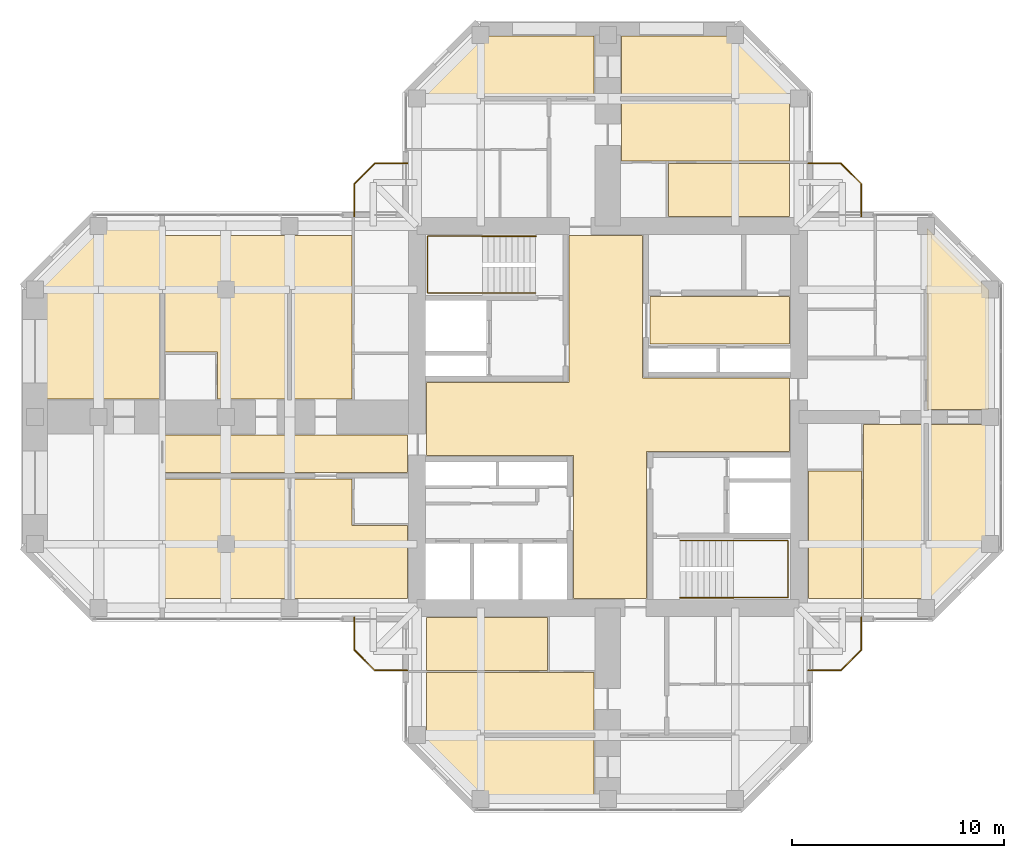
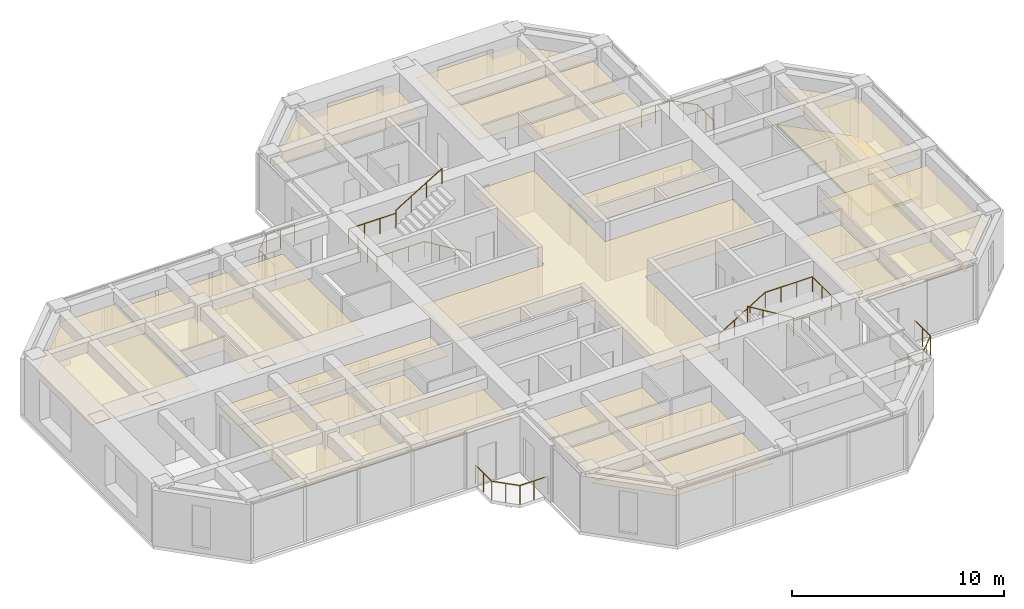
# One storey, part 13 of 13: 20 coverings, 8 railings.
"""IFC4 building model written with IfcOpenShell, lengths in metres."""

from ifc_helpers import new_model, si_unit, direction, frame, origin, origin_2d, place, context, subcontext, project, spatial, polyline, circle, outline, extrude, material, layer, layer_set, constituent, constituent_set, type_object, element, save


model = new_model("IFC4")

# Units and contexts
model_context = context("Model", 3, precision=1e-05, world=origin(), true_north=direction((0.0, 1.0)))
body_context = subcontext(model_context, "Body", "Model", "MODEL_VIEW")
ifc_project = project(units=[si_unit("LENGTHUNIT", "METRE"), si_unit("AREAUNIT", "SQUARE_METRE"), si_unit("VOLUMEUNIT", "CUBIC_METRE"), si_unit("PLANEANGLEUNIT", "RADIAN"), si_unit("MASSUNIT", "GRAM", prefix="KILO")], contexts=[model_context])

# Site, building, storey
site_placement = place(None, origin())
site = spatial("IfcSite", under=ifc_project, at=site_placement, CompositionType="ELEMENT")
building_placement = place(site_placement, origin())
building = spatial("IfcBuilding", under=site, at=building_placement, Name="Torre Cruceta", CompositionType="ELEMENT")
storey_placement = place(building_placement, frame((0.0, 0.0, 235.699951171875)))
storey = spatial("IfcBuildingStorey", under=building, at=storey_placement, Name="L60", CompositionType="ELEMENT", Elevation=235.699951171875)

# Railings
ifc_material_1 = material(Name="Stainless steel 1.4401", Category="steel")
ifc_constituent_1 = constituent(ifc_material_1, Name="Frame")
ifc_material_2 = material(Name="Laminated safety glass", Category="glass")
ifc_constituent_2 = constituent(ifc_material_2, Name="Infill")
ifc_constituent_set_1 = constituent_set(constituents=[ifc_constituent_1, ifc_constituent_2], Name="Stainless steel and laminated glass balustrade")
railing_type_1 = type_object("IfcRailingType", Name="BALCONY BALUSTRADE 1100", PredefinedType="BALUSTRADE", material=ifc_constituent_set_1)
railing_1_placement = place(storey_placement, frame((-9.449951171875, 11.949951171875, 0.0)))
element("IfcRailing", 1, at=railing_1_placement, inside=storey, type_object=railing_type_1, Name="BL1 balcony balustrade L60 N", PredefinedType="BALUSTRADE", context=body_context, shape_type="SweptSolid", body=[
    extrude(circle(Radius=0.02392578125, at=origin_2d()), frame((0.0, 0.0, 1.076171875), z_axis=(-1.0, 0.0, 0.0), x_axis=(0.0, -1.0, 0.0)), (0.0, 0.0, 1.0), 1.529296875),
    extrude(circle(Radius=0.02392578125, at=origin_2d()), frame((-1.529296875, 0.0, 1.076171875), z_axis=(-0.707106781187, -0.707106781187, 0.0), x_axis=(0.707106781187, -0.707106781187, 0.0)), (0.0, 0.0, 1.0), 1.372802734375),
    extrude(circle(Radius=0.02392578125, at=origin_2d()), frame((-2.5, -0.970703125, 1.076171875), z_axis=(0.0, -1.0, 0.0), x_axis=(1.0, 0.0, 0.0)), (0.0, 0.0, 1.0), 1.529296875),
    extrude(circle(Radius=0.02099609375, at=origin_2d()), origin(), (0.0, 0.0, 1.0), 1.052001953125),
    extrude(circle(Radius=0.02099609375, at=origin_2d()), frame((-0.7646484375, 0.0, 0.0)), (0.0, 0.0, 1.0), 1.052001953125),
    extrude(circle(Radius=0.02099609375, at=origin_2d()), frame((-1.529296875, 0.0, 0.0)), (0.0, 0.0, 1.0), 1.052001953125),
    extrude(circle(Radius=0.02099609375, at=origin_2d()), frame((-2.0146484375, -0.4853515625, 0.0)), (0.0, 0.0, 1.0), 1.052001953125),
    extrude(circle(Radius=0.02099609375, at=origin_2d()), frame((-2.5, -0.970703125, 0.0)), (0.0, 0.0, 1.0), 1.052001953125),
    extrude(circle(Radius=0.02099609375, at=origin_2d()), frame((-2.5, -1.7353515625, 0.0)), (0.0, 0.0, 1.0), 1.052001953125),
    extrude(circle(Radius=0.02099609375, at=origin_2d()), frame((-2.5, -2.5, 0.0)), (0.0, 0.0, 1.0), 1.052001953125),
])
railing_2_placement = place(storey_placement, frame((9.449951171875, 11.949951171875, 0.0)))
element("IfcRailing", 2, at=railing_2_placement, inside=storey, type_object=railing_type_1, Name="BL1 balcony balustrade L60 E", PredefinedType="BALUSTRADE", context=body_context, shape_type="SweptSolid", body=[
    extrude(circle(Radius=0.02392578125, at=origin_2d()), frame((0.0, 0.0, 1.076171875), z_axis=(1.0, 0.0, 0.0), x_axis=(0.0, 1.0, 0.0)), (0.0, 0.0, 1.0), 1.529296875),
    extrude(circle(Radius=0.02392578125, at=origin_2d()), frame((1.529296875, 0.0, 1.076171875), z_axis=(0.707106781187, -0.707106781187, 0.0), x_axis=(0.707106781187, 0.707106781187, 0.0)), (0.0, 0.0, 1.0), 1.372802734375),
    extrude(circle(Radius=0.02392578125, at=origin_2d()), frame((2.5, -0.970703125, 1.076171875), z_axis=(0.0, -1.0, 0.0), x_axis=(1.0, 0.0, 0.0)), (0.0, 0.0, 1.0), 1.529296875),
    extrude(circle(Radius=0.02099609375, at=origin_2d()), origin(), (0.0, 0.0, 1.0), 1.052001953125),
    extrude(circle(Radius=0.02099609375, at=origin_2d()), frame((0.7646484375, 0.0, 0.0)), (0.0, 0.0, 1.0), 1.052001953125),
    extrude(circle(Radius=0.02099609375, at=origin_2d()), frame((1.529296875, 0.0, 0.0)), (0.0, 0.0, 1.0), 1.052001953125),
    extrude(circle(Radius=0.02099609375, at=origin_2d()), frame((2.0146484375, -0.4853515625, 0.0)), (0.0, 0.0, 1.0), 1.052001953125),
    extrude(circle(Radius=0.02099609375, at=origin_2d()), frame((2.5, -0.970703125, 0.0)), (0.0, 0.0, 1.0), 1.052001953125),
    extrude(circle(Radius=0.02099609375, at=origin_2d()), frame((2.5, -1.7353515625, 0.0)), (0.0, 0.0, 1.0), 1.052001953125),
    extrude(circle(Radius=0.02099609375, at=origin_2d()), frame((2.5, -2.5, 0.0)), (0.0, 0.0, 1.0), 1.052001953125),
])
railing_3_placement = place(storey_placement, frame((9.449951171875, -11.949951171875, 0.0)))
element("IfcRailing", 3, at=railing_3_placement, inside=storey, type_object=railing_type_1, Name="BL1 balcony balustrade L60 S", PredefinedType="BALUSTRADE", context=body_context, shape_type="SweptSolid", body=[
    extrude(circle(Radius=0.02392578125, at=origin_2d()), frame((0.0, 0.0, 1.076171875), z_axis=(1.0, 0.0, 0.0), x_axis=(0.0, 1.0, 0.0)), (0.0, 0.0, 1.0), 1.529296875),
    extrude(circle(Radius=0.02392578125, at=origin_2d()), frame((1.529296875, 0.0, 1.076171875), z_axis=(0.707106781187, 0.707106781187, 0.0), x_axis=(-0.707106781187, 0.707106781187, 0.0)), (0.0, 0.0, 1.0), 1.372802734375),
    extrude(circle(Radius=0.02392578125, at=origin_2d()), frame((2.5, 0.970703125, 1.076171875), z_axis=(0.0, 1.0, 0.0), x_axis=(-1.0, 0.0, 0.0)), (0.0, 0.0, 1.0), 1.529296875),
    extrude(circle(Radius=0.02099609375, at=origin_2d()), origin(), (0.0, 0.0, 1.0), 1.052001953125),
    extrude(circle(Radius=0.02099609375, at=origin_2d()), frame((0.7646484375, 0.0, 0.0)), (0.0, 0.0, 1.0), 1.052001953125),
    extrude(circle(Radius=0.02099609375, at=origin_2d()), frame((1.529296875, 0.0, 0.0)), (0.0, 0.0, 1.0), 1.052001953125),
    extrude(circle(Radius=0.02099609375, at=origin_2d()), frame((2.0146484375, 0.4853515625, 0.0)), (0.0, 0.0, 1.0), 1.052001953125),
    extrude(circle(Radius=0.02099609375, at=origin_2d()), frame((2.5, 0.970703125, 0.0)), (0.0, 0.0, 1.0), 1.052001953125),
    extrude(circle(Radius=0.02099609375, at=origin_2d()), frame((2.5, 1.7353515625, 0.0)), (0.0, 0.0, 1.0), 1.052001953125),
    extrude(circle(Radius=0.02099609375, at=origin_2d()), frame((2.5, 2.5, 0.0)), (0.0, 0.0, 1.0), 1.052001953125),
])
railing_4_placement = place(storey_placement, frame((-9.449951171875, -11.949951171875, 0.0)))
element("IfcRailing", 4, at=railing_4_placement, inside=storey, type_object=railing_type_1, Name="BL1 balcony balustrade L60 W", PredefinedType="BALUSTRADE", context=body_context, shape_type="SweptSolid", body=[
    extrude(circle(Radius=0.02392578125, at=origin_2d()), frame((0.0, 0.0, 1.076171875), z_axis=(-1.0, 0.0, 0.0), x_axis=(0.0, -1.0, 0.0)), (0.0, 0.0, 1.0), 1.529296875),
    extrude(circle(Radius=0.02392578125, at=origin_2d()), frame((-1.529296875, 0.0, 1.076171875), z_axis=(-0.707106781187, 0.707106781187, 0.0), x_axis=(-0.707106781187, -0.707106781187, 0.0)), (0.0, 0.0, 1.0), 1.372802734375),
    extrude(circle(Radius=0.02392578125, at=origin_2d()), frame((-2.5, 0.970703125, 1.076171875), z_axis=(0.0, 1.0, 0.0), x_axis=(-1.0, 0.0, 0.0)), (0.0, 0.0, 1.0), 1.529296875),
    extrude(circle(Radius=0.02099609375, at=origin_2d()), origin(), (0.0, 0.0, 1.0), 1.052001953125),
    extrude(circle(Radius=0.02099609375, at=origin_2d()), frame((-0.7646484375, 0.0, 0.0)), (0.0, 0.0, 1.0), 1.052001953125),
    extrude(circle(Radius=0.02099609375, at=origin_2d()), frame((-1.529296875, 0.0, 0.0)), (0.0, 0.0, 1.0), 1.052001953125),
    extrude(circle(Radius=0.02099609375, at=origin_2d()), frame((-2.0146484375, 0.4853515625, 0.0)), (0.0, 0.0, 1.0), 1.052001953125),
    extrude(circle(Radius=0.02099609375, at=origin_2d()), frame((-2.5, 0.970703125, 0.0)), (0.0, 0.0, 1.0), 1.052001953125),
    extrude(circle(Radius=0.02099609375, at=origin_2d()), frame((-2.5, 1.7353515625, 0.0)), (0.0, 0.0, 1.0), 1.052001953125),
    extrude(circle(Radius=0.02099609375, at=origin_2d()), frame((-2.5, 2.5, 0.0)), (0.0, 0.0, 1.0), 1.052001953125),
])
ifc_material_3 = material(Name="Stainless steel 1.4401", Category="steel")
railing_type_2 = type_object("IfcRailingType", Name="HANDRAIL 900", PredefinedType="HANDRAIL", material=ifc_material_3)
railing_5_placement = place(storey_placement, frame((-3.39990234375, 5.8349609375, 0.170166015625)))
element("IfcRailing", 5, at=railing_5_placement, inside=storey, type_object=railing_type_2, Name="Handrail HR1 ST1 L60", PredefinedType="HANDRAIL", context=body_context, shape_type="SweptSolid", body=[
    extrude(circle(Radius=0.02392578125, at=origin_2d()), frame((0.0, 0.0, 0.8759765625), z_axis=(-0.854821627497, 0.0, 0.518921945155), x_axis=(0.0, -1.0, 0.0)), (0.0, 0.0, 1.0), 2.947998046875),
    extrude(circle(Radius=0.02392578125, at=origin_2d()), frame((-2.52001953125, 0.0, 2.40576171875), z_axis=(-1.0, 0.0, 0.0), x_axis=(0.0, -1.0, 0.0)), (0.0, 0.0, 1.0), 2.570068359375),
    extrude(circle(Radius=0.02392578125, at=origin_2d()), frame((-5.090087890625, 0.0, 2.40576171875), z_axis=(0.0, 1.0, 0.0), x_axis=(-1.0, 0.0, 0.0)), (0.0, 0.0, 1.0), 2.679931640625),
    extrude(circle(Radius=0.02392578125, at=origin_2d()), frame((-5.090087890625, 2.679931640625, 2.40576171875), z_axis=(1.0, 0.0, 0.0), x_axis=(0.0, 1.0, 0.0)), (0.0, 0.0, 1.0), 2.570068359375),
    extrude(circle(Radius=0.02099609375, at=origin_2d()), origin(), (0.0, 0.0, 1.0), 0.851806640625),
    extrude(circle(Radius=0.02099609375, at=origin_2d()), frame((-0.840087890625, 0.0, 0.510009765625)), (0.0, 0.0, 1.0), 0.851806640625),
    extrude(circle(Radius=0.02099609375, at=origin_2d()), frame((-1.679931640625, 0.0, 1.019775390625)), (0.0, 0.0, 1.0), 0.851806640625),
    extrude(circle(Radius=0.02099609375, at=origin_2d()), frame((-2.52001953125, 0.0, 1.52978515625)), (0.0, 0.0, 1.0), 0.851806640625),
    extrude(circle(Radius=0.02099609375, at=origin_2d()), frame((-3.376708984375, 0.0, 1.52978515625)), (0.0, 0.0, 1.0), 0.851806640625),
    extrude(circle(Radius=0.02099609375, at=origin_2d()), frame((-4.2333984375, 0.0, 1.52978515625)), (0.0, 0.0, 1.0), 0.851806640625),
    extrude(circle(Radius=0.02099609375, at=origin_2d()), frame((-5.090087890625, 0.0, 1.52978515625)), (0.0, 0.0, 1.0), 0.851806640625),
    extrude(circle(Radius=0.02099609375, at=origin_2d()), frame((-5.090087890625, 0.893310546875, 1.52978515625)), (0.0, 0.0, 1.0), 0.851806640625),
    extrude(circle(Radius=0.02099609375, at=origin_2d()), frame((-5.090087890625, 1.78662109375, 1.52978515625)), (0.0, 0.0, 1.0), 0.851806640625),
    extrude(circle(Radius=0.02099609375, at=origin_2d()), frame((-5.090087890625, 2.679931640625, 1.52978515625)), (0.0, 0.0, 1.0), 0.851806640625),
    extrude(circle(Radius=0.02099609375, at=origin_2d()), frame((-4.2333984375, 2.679931640625, 1.52978515625)), (0.0, 0.0, 1.0), 0.851806640625),
    extrude(circle(Radius=0.02099609375, at=origin_2d()), frame((-3.376708984375, 2.679931640625, 1.52978515625)), (0.0, 0.0, 1.0), 0.851806640625),
    extrude(circle(Radius=0.02099609375, at=origin_2d()), frame((-2.52001953125, 2.679931640625, 1.52978515625)), (0.0, 0.0, 1.0), 0.851806640625),
])
railing_6_placement = place(storey_placement, frame((-5.919921875, 8.514892578125, 1.8701171875)))
element("IfcRailing", 6, at=railing_6_placement, inside=storey, type_object=railing_type_2, Name="Handrail HR1 ST1 L60", PredefinedType="HANDRAIL", context=body_context, shape_type="SweptSolid", body=[
    extrude(circle(Radius=0.02392578125, at=origin_2d()), frame((0.0, 0.0, 0.8759765625), z_axis=(0.85478489116, 0.0, 0.518982456201), x_axis=(0.0, 1.0, 0.0)), (0.0, 0.0, 1.0), 2.9482421875),
    extrude(circle(Radius=0.02099609375, at=origin_2d()), origin(), (0.0, 0.0, 1.0), 0.851806640625),
    extrude(circle(Radius=0.02099609375, at=origin_2d()), frame((0.840087890625, 0.0, 0.510009765625)), (0.0, 0.0, 1.0), 0.851806640625),
    extrude(circle(Radius=0.02099609375, at=origin_2d()), frame((1.679931640625, 0.0, 1.02001953125)), (0.0, 0.0, 1.0), 0.851806640625),
    extrude(circle(Radius=0.02099609375, at=origin_2d()), frame((2.52001953125, 0.0, 1.530029296875)), (0.0, 0.0, 1.0), 0.851806640625),
])
railing_7_placement = place(storey_placement, frame((3.39990234375, -5.8349609375, 0.170166015625)))
element("IfcRailing", 7, at=railing_7_placement, inside=storey, type_object=railing_type_2, Name="Handrail HR1 ST2 L60", PredefinedType="HANDRAIL", context=body_context, shape_type="SweptSolid", body=[
    extrude(circle(Radius=0.02392578125, at=origin_2d()), frame((0.0, 0.0, 0.8759765625), z_axis=(0.854821627497, 0.0, 0.518921945155), x_axis=(0.0, 1.0, 0.0)), (0.0, 0.0, 1.0), 2.947998046875),
    extrude(circle(Radius=0.02392578125, at=origin_2d()), frame((2.52001953125, 0.0, 2.40576171875), z_axis=(1.0, 0.0, 0.0), x_axis=(0.0, 1.0, 0.0)), (0.0, 0.0, 1.0), 2.570068359375),
    extrude(circle(Radius=0.02392578125, at=origin_2d()), frame((5.090087890625, 0.0, 2.40576171875), z_axis=(0.0, -1.0, 0.0), x_axis=(1.0, 0.0, 0.0)), (0.0, 0.0, 1.0), 2.679931640625),
    extrude(circle(Radius=0.02392578125, at=origin_2d()), frame((5.090087890625, -2.679931640625, 2.40576171875), z_axis=(-1.0, 0.0, 0.0), x_axis=(0.0, -1.0, 0.0)), (0.0, 0.0, 1.0), 2.570068359375),
    extrude(circle(Radius=0.02099609375, at=origin_2d()), origin(), (0.0, 0.0, 1.0), 0.851806640625),
    extrude(circle(Radius=0.02099609375, at=origin_2d()), frame((0.840087890625, 0.0, 0.510009765625)), (0.0, 0.0, 1.0), 0.851806640625),
    extrude(circle(Radius=0.02099609375, at=origin_2d()), frame((1.679931640625, 0.0, 1.019775390625)), (0.0, 0.0, 1.0), 0.851806640625),
    extrude(circle(Radius=0.02099609375, at=origin_2d()), frame((2.52001953125, 0.0, 1.52978515625)), (0.0, 0.0, 1.0), 0.851806640625),
    extrude(circle(Radius=0.02099609375, at=origin_2d()), frame((3.376708984375, 0.0, 1.52978515625)), (0.0, 0.0, 1.0), 0.851806640625),
    extrude(circle(Radius=0.02099609375, at=origin_2d()), frame((4.2333984375, 0.0, 1.52978515625)), (0.0, 0.0, 1.0), 0.851806640625),
    extrude(circle(Radius=0.02099609375, at=origin_2d()), frame((5.090087890625, 0.0, 1.52978515625)), (0.0, 0.0, 1.0), 0.851806640625),
    extrude(circle(Radius=0.02099609375, at=origin_2d()), frame((5.090087890625, -0.893310546875, 1.52978515625)), (0.0, 0.0, 1.0), 0.851806640625),
    extrude(circle(Radius=0.02099609375, at=origin_2d()), frame((5.090087890625, -1.78662109375, 1.52978515625)), (0.0, 0.0, 1.0), 0.851806640625),
    extrude(circle(Radius=0.02099609375, at=origin_2d()), frame((5.090087890625, -2.679931640625, 1.52978515625)), (0.0, 0.0, 1.0), 0.851806640625),
    extrude(circle(Radius=0.02099609375, at=origin_2d()), frame((4.2333984375, -2.679931640625, 1.52978515625)), (0.0, 0.0, 1.0), 0.851806640625),
    extrude(circle(Radius=0.02099609375, at=origin_2d()), frame((3.376708984375, -2.679931640625, 1.52978515625)), (0.0, 0.0, 1.0), 0.851806640625),
    extrude(circle(Radius=0.02099609375, at=origin_2d()), frame((2.52001953125, -2.679931640625, 1.52978515625)), (0.0, 0.0, 1.0), 0.851806640625),
])
railing_8_placement = place(storey_placement, frame((5.919921875, -8.514892578125, 1.8701171875)))
element("IfcRailing", 8, at=railing_8_placement, inside=storey, type_object=railing_type_2, Name="Handrail HR1 ST2 L60", PredefinedType="HANDRAIL", context=body_context, shape_type="SweptSolid", body=[
    extrude(circle(Radius=0.02392578125, at=origin_2d()), frame((0.0, 0.0, 0.8759765625), z_axis=(-0.85478489116, 0.0, 0.518982456201), x_axis=(0.0, -1.0, 0.0)), (0.0, 0.0, 1.0), 2.9482421875),
    extrude(circle(Radius=0.02099609375, at=origin_2d()), origin(), (0.0, 0.0, 1.0), 0.851806640625),
    extrude(circle(Radius=0.02099609375, at=origin_2d()), frame((-0.840087890625, 0.0, 0.510009765625)), (0.0, 0.0, 1.0), 0.851806640625),
    extrude(circle(Radius=0.02099609375, at=origin_2d()), frame((-1.679931640625, 0.0, 1.02001953125)), (0.0, 0.0, 1.0), 0.851806640625),
    extrude(circle(Radius=0.02099609375, at=origin_2d()), frame((-2.52001953125, 0.0, 1.530029296875)), (0.0, 0.0, 1.0), 0.851806640625),
])

# Coverings
ifc_material_4 = material(Name="Steel DX51D", Category="steel")
ifc_constituent_3 = constituent(ifc_material_4, Name="Panel casing")
ifc_material_5 = material(Name="Calcium sulphate", Category="gypsum")
ifc_constituent_4 = constituent(ifc_material_5, Name="Panel core")
ifc_constituent_set_2 = constituent_set(constituents=[ifc_constituent_3, ifc_constituent_4], Name="Raised access floor panel")
covering_type_1 = type_object("IfcCoveringType", Name="RAISED ACCESS FLOOR 150", PredefinedType="FLOORING", material=ifc_constituent_set_2)
covering_1_placement = place(storey_placement, origin())
element("IfcCovering", 9, at=covering_1_placement, inside=storey, type_object=covering_type_1, Name="Raised floor L60-038", PredefinedType="FLOORING", context=body_context, shape_type="SweptSolid", body=[
    extrude(outline(polyline([(17.949951171875, 5.979248046875), (17.949951171875, 0.35009765625), (15.050048828125, 0.35009765625), (15.050048828125, 8.87939453125), (17.949951171875, 5.979248046875)])), origin(), (0.0, 0.0, 1.0), 0.150146484375),
])
ifc_material_6 = material(Name="Mineral fibre ceiling tile", Category="gypsum")
ifc_layer = layer(ifc_material_6, 0.02001953125)
ifc_layer_set = layer_set([ifc_layer], Name="Mineral fibre ceiling tile")
covering_type_2 = type_object("IfcCoveringType", Name="SUSPENDED CEILING 20", PredefinedType="CEILING", material=ifc_layer_set)
covering_2_placement = place(storey_placement, frame((0.0, 0.0, 2.35009765625)))
element("IfcCovering", 10, at=covering_2_placement, inside=storey, type_object=covering_type_2, Name="Ceiling L60-003", PredefinedType="CEILING", context=body_context, shape_type="SweptSolid", body=[
    extrude(outline(polyline([(-1.625, -8.550048828125), (-1.625, -1.824951171875), (-8.550048828125, -1.824951171875), (-8.550048828125, 1.625), (-1.824951171875, 1.625), (-1.824951171875, 8.550048828125), (1.625, 8.550048828125), (1.625, 1.824951171875), (8.550048828125, 1.824951171875), (8.550048828125, -1.625), (1.824951171875, -1.625), (1.824951171875, -8.550048828125), (-1.625, -8.550048828125)])), origin(), (0.0, 0.0, 1.0), 0.02001953125),
])
covering_3_placement = place(storey_placement, frame((0.0, 0.0, 2.35009765625)))
element("IfcCovering", 11, at=covering_3_placement, inside=storey, type_object=covering_type_2, Name="Ceiling L60-004", PredefinedType="CEILING", context=body_context, shape_type="SweptSolid", body=[
    extrude(outline(polyline([(1.97509765625, 3.425048828125), (1.97509765625, 5.675048828125), (8.550048828125, 5.675048828125), (8.550048828125, 3.425048828125), (1.97509765625, 3.425048828125)])), origin(), (0.0, 0.0, 1.0), 0.02001953125),
])
covering_4_placement = place(storey_placement, frame((0.0, 0.0, 2.35009765625)))
element("IfcCovering", 12, at=covering_4_placement, inside=storey, type_object=covering_type_2, Name="Ceiling L60-026", PredefinedType="CEILING", context=body_context, shape_type="SweptSolid", body=[
    extrude(outline(polyline([(8.550048828125, 14.949951171875), (8.550048828125, 12.050048828125), (0.64990234375, 12.050048828125), (0.64990234375, 14.949951171875), (8.550048828125, 14.949951171875)])), origin(), (0.0, 0.0, 1.0), 0.02001953125),
])
covering_5_placement = place(storey_placement, frame((0.0, 0.0, 2.35009765625)))
element("IfcCovering", 13, at=covering_5_placement, inside=storey, type_object=covering_type_2, Name="Ceiling L60-027", PredefinedType="CEILING", context=body_context, shape_type="SweptSolid", body=[
    extrude(outline(polyline([(8.550048828125, 9.449951171875), (2.85009765625, 9.449951171875), (2.85009765625, 11.949951171875), (8.550048828125, 11.949951171875), (8.550048828125, 9.449951171875)])), origin(), (0.0, 0.0, 1.0), 0.02001953125),
])
covering_6_placement = place(storey_placement, frame((0.0, 0.0, 2.35009765625)))
element("IfcCovering", 14, at=covering_6_placement, inside=storey, type_object=covering_type_2, Name="Ceiling L60-029", PredefinedType="CEILING", context=body_context, shape_type="SweptSolid", body=[
    extrude(outline(polyline([(-5.979248046875, 17.949951171875), (-0.64990234375, 17.949951171875), (-0.64990234375, 15.050048828125), (-8.87939453125, 15.050048828125), (-5.979248046875, 17.949951171875)])), origin(), (0.0, 0.0, 1.0), 0.02001953125),
])
covering_7_placement = place(storey_placement, frame((0.0, 0.0, 2.35009765625)))
element("IfcCovering", 15, at=covering_7_placement, inside=storey, type_object=covering_type_2, Name="Ceiling L60-030", PredefinedType="CEILING", context=body_context, shape_type="SweptSolid", body=[
    extrude(outline(polyline([(8.87939453125, 15.050048828125), (0.64990234375, 15.050048828125), (0.64990234375, 17.949951171875), (5.979248046875, 17.949951171875), (8.87939453125, 15.050048828125)])), origin(), (0.0, 0.0, 1.0), 0.02001953125),
])
covering_8_placement = place(storey_placement, frame((0.0, 0.0, 2.35009765625)))
element("IfcCovering", 16, at=covering_8_placement, inside=storey, type_object=covering_type_2, Name="Ceiling L60-035", PredefinedType="CEILING", context=body_context, shape_type="SweptSolid", body=[
    extrude(outline(polyline([(14.949951171875, -8.550048828125), (12.050048828125, -8.550048828125), (12.050048828125, -0.35009765625), (14.949951171875, -0.35009765625), (14.949951171875, -8.550048828125)])), origin(), (0.0, 0.0, 1.0), 0.02001953125),
])
covering_9_placement = place(storey_placement, frame((0.0, 0.0, 2.35009765625)))
element("IfcCovering", 17, at=covering_9_placement, inside=storey, type_object=covering_type_2, Name="Ceiling L60-036", PredefinedType="CEILING", context=body_context, shape_type="SweptSolid", body=[
    extrude(outline(polyline([(9.449951171875, -8.550048828125), (9.449951171875, -2.550048828125), (11.949951171875, -2.550048828125), (11.949951171875, -8.550048828125), (9.449951171875, -8.550048828125)])), origin(), (0.0, 0.0, 1.0), 0.02001953125),
])
covering_10_placement = place(storey_placement, frame((0.0, 0.0, 2.35009765625)))
element("IfcCovering", 18, at=covering_10_placement, inside=storey, type_object=covering_type_2, Name="Ceiling L60-038", PredefinedType="CEILING", context=body_context, shape_type="SweptSolid", body=[
    extrude(outline(polyline([(17.949951171875, 5.979248046875), (17.949951171875, 0.35009765625), (15.050048828125, 0.35009765625), (15.050048828125, 8.87939453125), (17.949951171875, 5.979248046875)])), origin(), (0.0, 0.0, 1.0), 0.02001953125),
])
covering_11_placement = place(storey_placement, frame((0.0, 0.0, 2.35009765625)))
element("IfcCovering", 19, at=covering_11_placement, inside=storey, type_object=covering_type_2, Name="Ceiling L60-039", PredefinedType="CEILING", context=body_context, shape_type="SweptSolid", body=[
    extrude(outline(polyline([(15.050048828125, -8.87939453125), (15.050048828125, -0.35009765625), (17.949951171875, -0.35009765625), (17.949951171875, -5.979248046875), (15.050048828125, -8.87939453125)])), origin(), (0.0, 0.0, 1.0), 0.02001953125),
])
covering_12_placement = place(storey_placement, frame((0.0, 0.0, 2.35009765625)))
element("IfcCovering", 20, at=covering_12_placement, inside=storey, type_object=covering_type_2, Name="Ceiling L60-044", PredefinedType="CEILING", context=body_context, shape_type="SweptSolid", body=[
    extrude(outline(polyline([(-8.550048828125, -14.949951171875), (-8.550048828125, -12.050048828125), (-0.64990234375, -12.050048828125), (-0.64990234375, -14.949951171875), (-8.550048828125, -14.949951171875)])), origin(), (0.0, 0.0, 1.0), 0.02001953125),
])
covering_13_placement = place(storey_placement, frame((0.0, 0.0, 2.35009765625)))
element("IfcCovering", 21, at=covering_13_placement, inside=storey, type_object=covering_type_2, Name="Ceiling L60-045", PredefinedType="CEILING", context=body_context, shape_type="SweptSolid", body=[
    extrude(outline(polyline([(-8.550048828125, -9.449951171875), (-2.85009765625, -9.449951171875), (-2.85009765625, -11.949951171875), (-8.550048828125, -11.949951171875), (-8.550048828125, -9.449951171875)])), origin(), (0.0, 0.0, 1.0), 0.02001953125),
])
covering_14_placement = place(storey_placement, frame((0.0, 0.0, 2.35009765625)))
element("IfcCovering", 22, at=covering_14_placement, inside=storey, type_object=covering_type_2, Name="Ceiling L60-048", PredefinedType="CEILING", context=body_context, shape_type="SweptSolid", body=[
    extrude(outline(polyline([(-8.87939453125, -15.050048828125), (-0.64990234375, -15.050048828125), (-0.64990234375, -17.949951171875), (-5.979248046875, -17.949951171875), (-8.87939453125, -15.050048828125)])), origin(), (0.0, 0.0, 1.0), 0.02001953125),
])
covering_15_placement = place(storey_placement, frame((0.0, 0.0, 2.35009765625)))
element("IfcCovering", 23, at=covering_15_placement, inside=storey, type_object=covering_type_2, Name="Ceiling L60-049", PredefinedType="CEILING", context=body_context, shape_type="SweptSolid", body=[
    extrude(outline(polyline([(-9.449951171875, -0.85009765625), (-9.449951171875, -2.625), (-20.949951171875, -2.625), (-20.949951171875, -0.85009765625), (-9.449951171875, -0.85009765625)])), origin(), (0.0, 0.0, 1.0), 0.02001953125),
])
covering_16_placement = place(storey_placement, frame((0.0, 0.0, 2.35009765625)))
element("IfcCovering", 24, at=covering_16_placement, inside=storey, type_object=covering_type_2, Name="Ceiling L60-050", PredefinedType="CEILING", context=body_context, shape_type="SweptSolid", body=[
    extrude(outline(polyline([(-9.449951171875, -8.550048828125), (-14.949951171875, -8.550048828125), (-14.949951171875, -2.925048828125), (-12.050048828125, -2.925048828125), (-12.050048828125, -5.125), (-9.449951171875, -5.125), (-9.449951171875, -8.550048828125)])), origin(), (0.0, 0.0, 1.0), 0.02001953125),
])
covering_17_placement = place(storey_placement, frame((0.0, 0.0, 2.35009765625)))
element("IfcCovering", 25, at=covering_17_placement, inside=storey, type_object=covering_type_2, Name="Ceiling L60-052", PredefinedType="CEILING", context=body_context, shape_type="SweptSolid", body=[
    extrude(outline(polyline([(-15.050048828125, -2.925048828125), (-15.050048828125, -8.550048828125), (-20.949951171875, -8.550048828125), (-20.949951171875, -2.925048828125), (-15.050048828125, -2.925048828125)])), origin(), (0.0, 0.0, 1.0), 0.02001953125),
])
covering_18_placement = place(storey_placement, frame((0.0, 0.0, 2.35009765625)))
element("IfcCovering", 26, at=covering_18_placement, inside=storey, type_object=covering_type_2, Name="Ceiling L60-053", PredefinedType="CEILING", context=body_context, shape_type="SweptSolid", body=[
    extrude(outline(polyline([(-14.949951171875, 8.550048828125), (-12.050048828125, 8.550048828125), (-12.050048828125, 0.85009765625), (-14.949951171875, 0.85009765625), (-14.949951171875, 8.550048828125)])), origin(), (0.0, 0.0, 1.0), 0.02001953125),
])
covering_19_placement = place(storey_placement, frame((0.0, 0.0, 2.35009765625)))
element("IfcCovering", 27, at=covering_19_placement, inside=storey, type_object=covering_type_2, Name="Ceiling L60-056", PredefinedType="CEILING", context=body_context, shape_type="SweptSolid", body=[
    extrude(outline(polyline([(-20.949951171875, 8.550048828125), (-15.050048828125, 8.550048828125), (-15.050048828125, 0.85009765625), (-18.39990234375, 0.85009765625), (-18.39990234375, 3.050048828125), (-20.949951171875, 3.050048828125), (-20.949951171875, 8.550048828125)])), origin(), (0.0, 0.0, 1.0), 0.02001953125),
])
covering_20_placement = place(storey_placement, frame((0.0, 0.0, 2.35009765625)))
element("IfcCovering", 28, at=covering_20_placement, inside=storey, type_object=covering_type_2, Name="Ceiling L60-059", PredefinedType="CEILING", context=body_context, shape_type="SweptSolid", body=[
    extrude(outline(polyline([(-23.979248046875, 8.949951171875), (-21.050048828125, 8.949951171875), (-21.050048828125, 0.85009765625), (-26.949951171875, 0.85009765625), (-26.949951171875, 5.979248046875), (-23.979248046875, 8.949951171875)])), origin(), (0.0, 0.0, 1.0), 0.02001953125),
])

save(model, "model.ifc")
